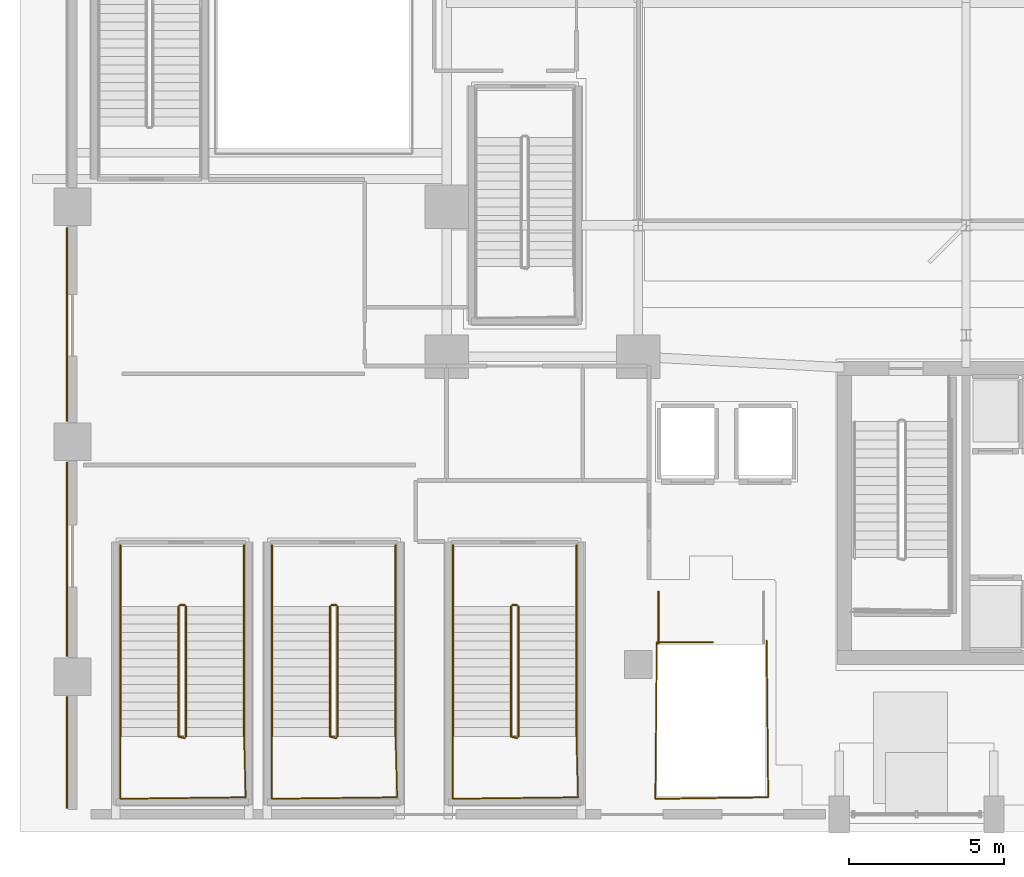
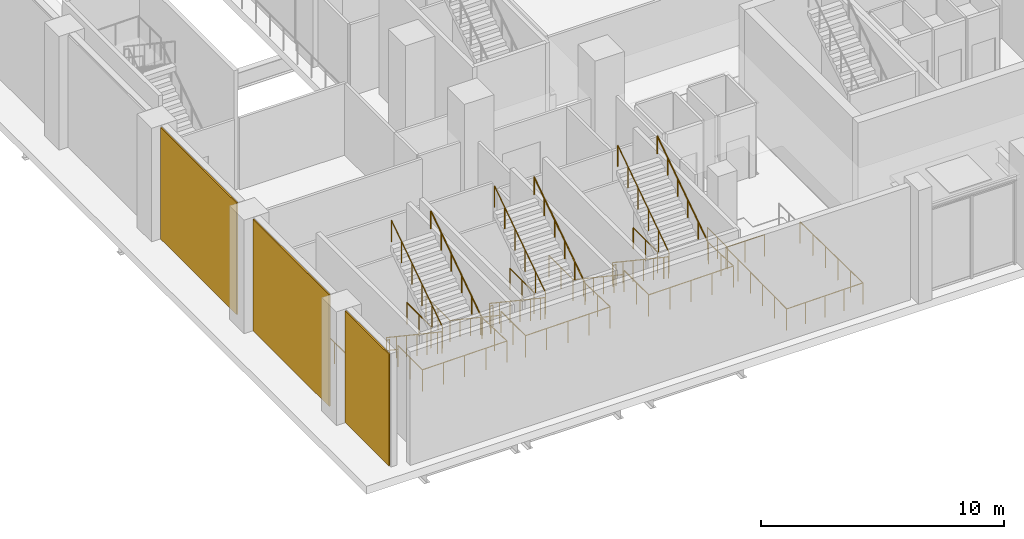
# One storey, part 26 of 36: 26 railings, 3 coverings.
"""IFC4 building model written with IfcOpenShell, lengths in metres."""

from ifc_helpers import new_model, si_unit, direction, frame, origin, origin_2d, place, context, subcontext, project, spatial, rectangle, circle, extrude, material, layer, layer_set, type_object, element, save


model = new_model("IFC4")

# Units and contexts
model_context = context("Model", 3, precision=1e-05, world=origin(), true_north=direction((0.0, 1.0)))
body_context = subcontext(model_context, "Body", "Model", "MODEL_VIEW")
ifc_project = project(units=[si_unit("LENGTHUNIT", "METRE"), si_unit("AREAUNIT", "SQUARE_METRE"), si_unit("VOLUMEUNIT", "CUBIC_METRE"), si_unit("PLANEANGLEUNIT", "RADIAN"), si_unit("MASSUNIT", "GRAM", prefix="KILO")], contexts=[model_context])

# Site, building, storey
site_placement = place(None, origin())
site = spatial("IfcSite", under=ifc_project, at=site_placement, CompositionType="ELEMENT")
building_placement = place(site_placement, origin())
building = spatial("IfcBuilding", under=site, at=building_placement, Name="Ndaravel Arena Tower", CompositionType="ELEMENT")
storey_placement = place(building_placement, origin())
storey = spatial("IfcBuildingStorey", under=building, at=storey_placement, Name="L00", CompositionType="ELEMENT", Elevation=0.0)

# Coverings
ifc_material_1 = material(Name="Masonry", Category="masonry")
ifc_layer_1 = layer(ifc_material_1, 0.06005859375)
ifc_layer_set_1 = layer_set([ifc_layer_1], Name="Masonry")
covering_type = type_object("IfcCoveringType", Name="COV-STONE-CLAD", PredefinedType="CLADDING", material=ifc_layer_set_1)
covering_placement = place(storey_placement, frame((1.52001953125, 2.550048828125, 0.050048828125), z_axis=(0.0, 0.0, 1.0), x_axis=(1.0, 0.0, 0.0)))
element("IfcCovering", 1, at=covering_placement, inside=storey, type_object=covering_type, Name="L00 Honed Mazeras Ashlar Panel W1", PredefinedType="CLADDING", context=body_context, shape_type="SweptSolid", body=[
    extrude(rectangle(XDim=0.06005859375, YDim=3.60009765625, at=origin_2d()), origin(), (0.0, 0.0, 1.0), 5.60009765625),
])
for number, where, z_axis, x_axis, name in (
    (2, (1.52001953125, 8.800048828125, 0.050048828125), (0.0, 0.0, 1.0), (1.0, 0.0, 0.0), "L00 Honed Mazeras Ashlar Panel W2"),
    (3, (1.52001953125, 16.39990234375, 0.050048828125), (0.0, 0.0, 1.0), (1.0, 0.0, 0.0), "L00 Honed Mazeras Ashlar Panel W3"),
):
    element("IfcCovering", number, at=place(storey_placement, frame(where, z_axis=z_axis, x_axis=x_axis)), inside=storey, type_object=covering_type, Name=name, PredefinedType="CLADDING", context=body_context, shape_type="SweptSolid", body=[
        extrude(rectangle(XDim=0.06005859375, YDim=6.260009765625, at=origin_2d()), origin(), (0.0, 0.0, 1.0), 5.60009765625),
    ])

# Railings
ifc_material_2 = material(Name="Steel S355", Category="steel")
ifc_layer_2 = layer(ifc_material_2, 0.06005859375)
ifc_layer_set_2 = layer_set([ifc_layer_2], Name="Steel S355")
railing_type_1 = type_object("IfcRailingType", Name="RAIL-STAIR-GD1100", PredefinedType="GUARDRAIL", material=ifc_layer_set_2)
railing_1_placement = place(storey_placement, frame((5.1298828125, 7.27001953125, 0.1875)))
element("IfcRailing", 4, at=railing_1_placement, inside=storey, type_object=railing_type_1, Name="L00 ST-A01 stair guard 1", PredefinedType="GUARDRAIL", context=body_context, shape_type="SweptSolid", body=[
    extrude(circle(Radius=0.02392578125, at=origin_2d()), frame((0.0, 0.0, 1.076171875), z_axis=(0.0, -0.830904186295, 0.556415522067), x_axis=(1.0, 0.0, 0.0)), (0.0, 0.0, 1.0), 5.0546875),
    extrude(circle(Radius=0.02392578125, at=origin_2d()), frame((0.0, -4.199951171875, 3.888671875), z_axis=(0.967074537263, -0.25449329928, 0.0), x_axis=(0.25449329928, 0.967074537263, 0.0)), (0.0, 0.0, 1.0), 0.19677734375),
    extrude(circle(Radius=0.02099609375, at=origin_2d()), origin(), (0.0, 0.0, 1.0), 1.052001953125),
    extrude(circle(Radius=0.02099609375, at=origin_2d()), frame((0.0, -0.840087890625, 0.5625)), (0.0, 0.0, 1.0), 1.052001953125),
    extrude(circle(Radius=0.02099609375, at=origin_2d()), frame((0.0, -1.679931640625, 1.125)), (0.0, 0.0, 1.0), 1.052001953125),
    extrude(circle(Radius=0.02099609375, at=origin_2d()), frame((0.0, -2.52001953125, 1.6875)), (0.0, 0.0, 1.0), 1.052001953125),
    extrude(circle(Radius=0.02099609375, at=origin_2d()), frame((0.0, -3.35986328125, 2.25)), (0.0, 0.0, 1.0), 1.052001953125),
    extrude(circle(Radius=0.02099609375, at=origin_2d()), frame((0.0, -4.199951171875, 2.8125)), (0.0, 0.0, 1.0), 1.052001953125),
    extrude(circle(Radius=0.02099609375, at=origin_2d()), frame((0.190185546875, -4.25, 2.8125)), (0.0, 0.0, 1.0), 1.052001953125),
])
railing_2_placement = place(storey_placement, frame((3.25, 3.070068359375, 3.0)))
element("IfcRailing", 5, at=railing_2_placement, inside=storey, type_object=railing_type_1, Name="L00 ST-A01 stair guard 2", PredefinedType="GUARDRAIL", context=body_context, shape_type="SweptSolid", body=[
    extrude(circle(Radius=0.02392578125, at=origin_2d()), frame((0.0, 0.0, 1.076171875), z_axis=(0.0, -1.0, 0.0), x_axis=(1.0, 0.0, 0.0)), (0.0, 0.0, 1.0), 2.02001953125),
    extrude(circle(Radius=0.02392578125, at=origin_2d()), frame((0.0, -2.02001953125, 1.076171875), z_axis=(0.999923653774, 0.012356642897, 0.0), x_axis=(-0.012356642897, 0.999923653774, 0.0)), (0.0, 0.0, 1.0), 4.05029296875),
    extrude(circle(Radius=0.02392578125, at=origin_2d()), frame((4.050048828125, -1.969970703125, 1.076171875), z_axis=(-0.025397679083, 0.999677426922, 0.0), x_axis=(-0.999677426922, -0.025397679083, 0.0)), (0.0, 0.0, 1.0), 1.970703125),
    extrude(circle(Radius=0.02099609375, at=origin_2d()), origin(), (0.0, 0.0, 1.0), 1.052001953125),
    extrude(circle(Radius=0.02099609375, at=origin_2d()), frame((0.0, -1.010009765625, 0.0)), (0.0, 0.0, 1.0), 1.052001953125),
    extrude(circle(Radius=0.02099609375, at=origin_2d()), frame((0.0, -2.02001953125, 0.0)), (0.0, 0.0, 1.0), 1.052001953125),
    extrude(circle(Radius=0.02099609375, at=origin_2d()), frame((1.012451171875, -2.007568359375, 0.0)), (0.0, 0.0, 1.0), 1.052001953125),
    extrude(circle(Radius=0.02099609375, at=origin_2d()), frame((2.02490234375, -1.9951171875, 0.0)), (0.0, 0.0, 1.0), 1.052001953125),
    extrude(circle(Radius=0.02099609375, at=origin_2d()), frame((3.03759765625, -1.982421875, 0.0)), (0.0, 0.0, 1.0), 1.052001953125),
    extrude(circle(Radius=0.02099609375, at=origin_2d()), frame((4.050048828125, -1.969970703125, 0.0)), (0.0, 0.0, 1.0), 1.052001953125),
    extrude(circle(Radius=0.02099609375, at=origin_2d()), frame((4.02490234375, -0.98486328125, 0.0)), (0.0, 0.0, 1.0), 1.052001953125),
    extrude(circle(Radius=0.02099609375, at=origin_2d()), frame((4.0, 0.0, 0.0)), (0.0, 0.0, 1.0), 1.052001953125),
])
railing_3_placement = place(storey_placement, frame((5.3701171875, 3.070068359375, 3.1875)))
element("IfcRailing", 6, at=railing_3_placement, inside=storey, type_object=railing_type_1, Name="L00 ST-A01 stair guard 3", PredefinedType="GUARDRAIL", context=body_context, shape_type="SweptSolid", body=[
    extrude(circle(Radius=0.02392578125, at=origin_2d()), frame((0.0, 0.0, 1.076171875), z_axis=(0.0, 0.830904186295, 0.556415522067), x_axis=(-1.0, 0.0, 0.0)), (0.0, 0.0, 1.0), 5.0546875),
    extrude(circle(Radius=0.02099609375, at=origin_2d()), origin(), (0.0, 0.0, 1.0), 1.052001953125),
    extrude(circle(Radius=0.02099609375, at=origin_2d()), frame((0.0, 0.840087890625, 0.5625)), (0.0, 0.0, 1.0), 1.052001953125),
    extrude(circle(Radius=0.02099609375, at=origin_2d()), frame((0.0, 1.679931640625, 1.125)), (0.0, 0.0, 1.0), 1.052001953125),
    extrude(circle(Radius=0.02099609375, at=origin_2d()), frame((0.0, 2.52001953125, 1.6875)), (0.0, 0.0, 1.0), 1.052001953125),
    extrude(circle(Radius=0.02099609375, at=origin_2d()), frame((0.0, 3.35986328125, 2.25)), (0.0, 0.0, 1.0), 1.052001953125),
    extrude(circle(Radius=0.02099609375, at=origin_2d()), frame((0.0, 4.199951171875, 2.8125)), (0.0, 0.0, 1.0), 1.052001953125),
])
railing_4_placement = place(storey_placement, frame((5.179931640625, 7.320068359375, 0.0)))
element("IfcRailing", 7, at=railing_4_placement, inside=storey, type_object=railing_type_1, Name="L00 ST-A01 stair guard 4", PredefinedType="GUARDRAIL", context=body_context, shape_type="SweptSolid", body=[
    extrude(circle(Radius=0.02392578125, at=origin_2d()), frame((0.0, 0.0, 1.076171875), z_axis=(1.0, 0.0, 0.0), x_axis=(0.0, 1.0, 0.0)), (0.0, 0.0, 1.0), 0.14013671875),
    extrude(circle(Radius=0.02099609375, at=origin_2d()), origin(), (0.0, 0.0, 1.0), 1.052001953125),
    extrude(circle(Radius=0.02099609375, at=origin_2d()), frame((0.14013671875, 0.0, 0.0)), (0.0, 0.0, 1.0), 1.052001953125),
])
for number, where, name in (
    (8, (3.25, 9.25, 0.0), "L00 ST-A01 stair guard 5"),
    (9, (7.25, 9.25, 0.0), "L00 ST-A01 stair guard 6"),
):
    element("IfcRailing", number, at=place(storey_placement, frame(where)), inside=storey, type_object=railing_type_1, Name=name, PredefinedType="GUARDRAIL", context=body_context, shape_type="SweptSolid", body=[
        extrude(circle(Radius=0.02392578125, at=origin_2d()), frame((0.0, 0.0, 1.076171875), z_axis=(0.0, -1.0, 0.0), x_axis=(1.0, 0.0, 0.0)), (0.0, 0.0, 1.0), 1.97998046875),
        extrude(circle(Radius=0.02099609375, at=origin_2d()), origin(), (0.0, 0.0, 1.0), 1.052001953125),
        extrude(circle(Radius=0.02099609375, at=origin_2d()), frame((0.0, -0.989990234375, 0.0)), (0.0, 0.0, 1.0), 1.052001953125),
        extrude(circle(Radius=0.02099609375, at=origin_2d()), frame((0.0, -1.97998046875, 0.0)), (0.0, 0.0, 1.0), 1.052001953125),
    ])
railing_5_placement = place(storey_placement, frame((10.030029296875, 7.27001953125, 0.1875)))
element("IfcRailing", 10, at=railing_5_placement, inside=storey, type_object=railing_type_1, Name="L00 ST-A02 stair guard 1", PredefinedType="GUARDRAIL", context=body_context, shape_type="SweptSolid", body=[
    extrude(circle(Radius=0.02392578125, at=origin_2d()), frame((0.0, 0.0, 1.076171875), z_axis=(0.0, -0.830904186295, 0.556415522067), x_axis=(1.0, 0.0, 0.0)), (0.0, 0.0, 1.0), 5.0546875),
    extrude(circle(Radius=0.02392578125, at=origin_2d()), frame((0.0, -4.199951171875, 3.888671875), z_axis=(0.966993988697, -0.254799187253, 0.0), x_axis=(0.254799187253, 0.966993988697, 0.0)), (0.0, 0.0, 1.0), 0.196533203125),
    extrude(circle(Radius=0.02099609375, at=origin_2d()), origin(), (0.0, 0.0, 1.0), 1.052001953125),
    extrude(circle(Radius=0.02099609375, at=origin_2d()), frame((0.0, -0.840087890625, 0.5625)), (0.0, 0.0, 1.0), 1.052001953125),
    extrude(circle(Radius=0.02099609375, at=origin_2d()), frame((0.0, -1.679931640625, 1.125)), (0.0, 0.0, 1.0), 1.052001953125),
    extrude(circle(Radius=0.02099609375, at=origin_2d()), frame((0.0, -2.52001953125, 1.6875)), (0.0, 0.0, 1.0), 1.052001953125),
    extrude(circle(Radius=0.02099609375, at=origin_2d()), frame((0.0, -3.35986328125, 2.25)), (0.0, 0.0, 1.0), 1.052001953125),
    extrude(circle(Radius=0.02099609375, at=origin_2d()), frame((0.0, -4.199951171875, 2.8125)), (0.0, 0.0, 1.0), 1.052001953125),
    extrude(circle(Radius=0.02099609375, at=origin_2d()), frame((0.18994140625, -4.25, 2.8125)), (0.0, 0.0, 1.0), 1.052001953125),
])
railing_6_placement = place(storey_placement, frame((8.14990234375, 3.070068359375, 3.0)))
element("IfcRailing", 11, at=railing_6_placement, inside=storey, type_object=railing_type_1, Name="L00 ST-A02 stair guard 2", PredefinedType="GUARDRAIL", context=body_context, shape_type="SweptSolid", body=[
    extrude(circle(Radius=0.02392578125, at=origin_2d()), frame((0.0, 0.0, 1.076171875), z_axis=(0.0, -1.0, 0.0), x_axis=(1.0, 0.0, 0.0)), (0.0, 0.0, 1.0), 2.02001953125),
    extrude(circle(Radius=0.02392578125, at=origin_2d()), frame((0.0, -2.02001953125, 1.076171875), z_axis=(0.999923653774, 0.012356642897, 0.0), x_axis=(-0.012356642897, 0.999923653774, 0.0)), (0.0, 0.0, 1.0), 4.05029296875),
    extrude(circle(Radius=0.02392578125, at=origin_2d()), frame((4.050048828125, -1.969970703125, 1.076171875), z_axis=(-0.025397679083, 0.999677426922, 0.0), x_axis=(-0.999677426922, -0.025397679083, 0.0)), (0.0, 0.0, 1.0), 1.970703125),
    extrude(circle(Radius=0.02099609375, at=origin_2d()), origin(), (0.0, 0.0, 1.0), 1.052001953125),
    extrude(circle(Radius=0.02099609375, at=origin_2d()), frame((0.0, -1.010009765625, 0.0)), (0.0, 0.0, 1.0), 1.052001953125),
    extrude(circle(Radius=0.02099609375, at=origin_2d()), frame((0.0, -2.02001953125, 0.0)), (0.0, 0.0, 1.0), 1.052001953125),
    extrude(circle(Radius=0.02099609375, at=origin_2d()), frame((1.012451171875, -2.007568359375, 0.0)), (0.0, 0.0, 1.0), 1.052001953125),
    extrude(circle(Radius=0.02099609375, at=origin_2d()), frame((2.02490234375, -1.9951171875, 0.0)), (0.0, 0.0, 1.0), 1.052001953125),
    extrude(circle(Radius=0.02099609375, at=origin_2d()), frame((3.03759765625, -1.982421875, 0.0)), (0.0, 0.0, 1.0), 1.052001953125),
    extrude(circle(Radius=0.02099609375, at=origin_2d()), frame((4.050048828125, -1.969970703125, 0.0)), (0.0, 0.0, 1.0), 1.052001953125),
    extrude(circle(Radius=0.02099609375, at=origin_2d()), frame((4.02490234375, -0.98486328125, 0.0)), (0.0, 0.0, 1.0), 1.052001953125),
    extrude(circle(Radius=0.02099609375, at=origin_2d()), frame((4.0, 0.0, 0.0)), (0.0, 0.0, 1.0), 1.052001953125),
])
railing_7_placement = place(storey_placement, frame((10.27001953125, 3.070068359375, 3.1875)))
element("IfcRailing", 12, at=railing_7_placement, inside=storey, type_object=railing_type_1, Name="L00 ST-A02 stair guard 3", PredefinedType="GUARDRAIL", context=body_context, shape_type="SweptSolid", body=[
    extrude(circle(Radius=0.02392578125, at=origin_2d()), frame((0.0, 0.0, 1.076171875), z_axis=(0.0, 0.830904186295, 0.556415522067), x_axis=(-1.0, 0.0, 0.0)), (0.0, 0.0, 1.0), 5.0546875),
    extrude(circle(Radius=0.02099609375, at=origin_2d()), origin(), (0.0, 0.0, 1.0), 1.052001953125),
    extrude(circle(Radius=0.02099609375, at=origin_2d()), frame((0.0, 0.840087890625, 0.5625)), (0.0, 0.0, 1.0), 1.052001953125),
    extrude(circle(Radius=0.02099609375, at=origin_2d()), frame((0.0, 1.679931640625, 1.125)), (0.0, 0.0, 1.0), 1.052001953125),
    extrude(circle(Radius=0.02099609375, at=origin_2d()), frame((0.0, 2.52001953125, 1.6875)), (0.0, 0.0, 1.0), 1.052001953125),
    extrude(circle(Radius=0.02099609375, at=origin_2d()), frame((0.0, 3.35986328125, 2.25)), (0.0, 0.0, 1.0), 1.052001953125),
    extrude(circle(Radius=0.02099609375, at=origin_2d()), frame((0.0, 4.199951171875, 2.8125)), (0.0, 0.0, 1.0), 1.052001953125),
])
railing_8_placement = place(storey_placement, frame((10.080078125, 7.320068359375, 0.0)))
element("IfcRailing", 13, at=railing_8_placement, inside=storey, type_object=railing_type_1, Name="L00 ST-A02 stair guard 4", PredefinedType="GUARDRAIL", context=body_context, shape_type="SweptSolid", body=[
    extrude(circle(Radius=0.02392578125, at=origin_2d()), frame((0.0, 0.0, 1.076171875), z_axis=(1.0, 0.0, 0.0), x_axis=(0.0, 1.0, 0.0)), (0.0, 0.0, 1.0), 0.139892578125),
    extrude(circle(Radius=0.02099609375, at=origin_2d()), origin(), (0.0, 0.0, 1.0), 1.052001953125),
    extrude(circle(Radius=0.02099609375, at=origin_2d()), frame((0.139892578125, 0.0, 0.0)), (0.0, 0.0, 1.0), 1.052001953125),
])
for number, where, name in (
    (14, (8.14990234375, 9.25, 0.0), "L00 ST-A02 stair guard 5"),
    (15, (12.14990234375, 9.25, 0.0), "L00 ST-A02 stair guard 6"),
):
    element("IfcRailing", number, at=place(storey_placement, frame(where)), inside=storey, type_object=railing_type_1, Name=name, PredefinedType="GUARDRAIL", context=body_context, shape_type="SweptSolid", body=[
        extrude(circle(Radius=0.02392578125, at=origin_2d()), frame((0.0, 0.0, 1.076171875), z_axis=(0.0, -1.0, 0.0), x_axis=(1.0, 0.0, 0.0)), (0.0, 0.0, 1.0), 1.97998046875),
        extrude(circle(Radius=0.02099609375, at=origin_2d()), origin(), (0.0, 0.0, 1.0), 1.052001953125),
        extrude(circle(Radius=0.02099609375, at=origin_2d()), frame((0.0, -0.989990234375, 0.0)), (0.0, 0.0, 1.0), 1.052001953125),
        extrude(circle(Radius=0.02099609375, at=origin_2d()), frame((0.0, -1.97998046875, 0.0)), (0.0, 0.0, 1.0), 1.052001953125),
    ])
railing_9_placement = place(storey_placement, frame((15.8798828125, 7.27001953125, 0.1875)))
element("IfcRailing", 16, at=railing_9_placement, inside=storey, type_object=railing_type_1, Name="L00 ST-A03 stair guard 1", PredefinedType="GUARDRAIL", context=body_context, shape_type="SweptSolid", body=[
    extrude(circle(Radius=0.02392578125, at=origin_2d()), frame((0.0, 0.0, 1.076171875), z_axis=(0.0, -0.830904186295, 0.556415522067), x_axis=(1.0, 0.0, 0.0)), (0.0, 0.0, 1.0), 5.0546875),
    extrude(circle(Radius=0.02392578125, at=origin_2d()), frame((0.0, -4.199951171875, 3.888671875), z_axis=(0.967074537263, -0.25449329928, 0.0), x_axis=(0.25449329928, 0.967074537263, 0.0)), (0.0, 0.0, 1.0), 0.19677734375),
    extrude(circle(Radius=0.02099609375, at=origin_2d()), origin(), (0.0, 0.0, 1.0), 1.052001953125),
    extrude(circle(Radius=0.02099609375, at=origin_2d()), frame((0.0, -0.840087890625, 0.5625)), (0.0, 0.0, 1.0), 1.052001953125),
    extrude(circle(Radius=0.02099609375, at=origin_2d()), frame((0.0, -1.679931640625, 1.125)), (0.0, 0.0, 1.0), 1.052001953125),
    extrude(circle(Radius=0.02099609375, at=origin_2d()), frame((0.0, -2.52001953125, 1.6875)), (0.0, 0.0, 1.0), 1.052001953125),
    extrude(circle(Radius=0.02099609375, at=origin_2d()), frame((0.0, -3.35986328125, 2.25)), (0.0, 0.0, 1.0), 1.052001953125),
    extrude(circle(Radius=0.02099609375, at=origin_2d()), frame((0.0, -4.199951171875, 2.8125)), (0.0, 0.0, 1.0), 1.052001953125),
    extrude(circle(Radius=0.02099609375, at=origin_2d()), frame((0.190185546875, -4.25, 2.8125)), (0.0, 0.0, 1.0), 1.052001953125),
])
railing_10_placement = place(storey_placement, frame((14.0, 3.070068359375, 3.0)))
element("IfcRailing", 17, at=railing_10_placement, inside=storey, type_object=railing_type_1, Name="L00 ST-A03 stair guard 2", PredefinedType="GUARDRAIL", context=body_context, shape_type="SweptSolid", body=[
    extrude(circle(Radius=0.02392578125, at=origin_2d()), frame((0.0, 0.0, 1.076171875), z_axis=(0.0, -1.0, 0.0), x_axis=(1.0, 0.0, 0.0)), (0.0, 0.0, 1.0), 2.02001953125),
    extrude(circle(Radius=0.02392578125, at=origin_2d()), frame((0.0, -2.02001953125, 1.076171875), z_axis=(0.999923653774, 0.012356642897, 0.0), x_axis=(-0.012356642897, 0.999923653774, 0.0)), (0.0, 0.0, 1.0), 4.05029296875),
    extrude(circle(Radius=0.02392578125, at=origin_2d()), frame((4.050048828125, -1.969970703125, 1.076171875), z_axis=(-0.025397679083, 0.999677426922, 0.0), x_axis=(-0.999677426922, -0.025397679083, 0.0)), (0.0, 0.0, 1.0), 1.970703125),
    extrude(circle(Radius=0.02099609375, at=origin_2d()), origin(), (0.0, 0.0, 1.0), 1.052001953125),
    extrude(circle(Radius=0.02099609375, at=origin_2d()), frame((0.0, -1.010009765625, 0.0)), (0.0, 0.0, 1.0), 1.052001953125),
    extrude(circle(Radius=0.02099609375, at=origin_2d()), frame((0.0, -2.02001953125, 0.0)), (0.0, 0.0, 1.0), 1.052001953125),
    extrude(circle(Radius=0.02099609375, at=origin_2d()), frame((1.012451171875, -2.007568359375, 0.0)), (0.0, 0.0, 1.0), 1.052001953125),
    extrude(circle(Radius=0.02099609375, at=origin_2d()), frame((2.02490234375, -1.9951171875, 0.0)), (0.0, 0.0, 1.0), 1.052001953125),
    extrude(circle(Radius=0.02099609375, at=origin_2d()), frame((3.03759765625, -1.982421875, 0.0)), (0.0, 0.0, 1.0), 1.052001953125),
    extrude(circle(Radius=0.02099609375, at=origin_2d()), frame((4.050048828125, -1.969970703125, 0.0)), (0.0, 0.0, 1.0), 1.052001953125),
    extrude(circle(Radius=0.02099609375, at=origin_2d()), frame((4.02490234375, -0.98486328125, 0.0)), (0.0, 0.0, 1.0), 1.052001953125),
    extrude(circle(Radius=0.02099609375, at=origin_2d()), frame((4.0, 0.0, 0.0)), (0.0, 0.0, 1.0), 1.052001953125),
])
railing_11_placement = place(storey_placement, frame((16.1201171875, 3.070068359375, 3.1875)))
element("IfcRailing", 18, at=railing_11_placement, inside=storey, type_object=railing_type_1, Name="L00 ST-A03 stair guard 3", PredefinedType="GUARDRAIL", context=body_context, shape_type="SweptSolid", body=[
    extrude(circle(Radius=0.02392578125, at=origin_2d()), frame((0.0, 0.0, 1.076171875), z_axis=(0.0, 0.830904186295, 0.556415522067), x_axis=(-1.0, 0.0, 0.0)), (0.0, 0.0, 1.0), 5.0546875),
    extrude(circle(Radius=0.02099609375, at=origin_2d()), origin(), (0.0, 0.0, 1.0), 1.052001953125),
    extrude(circle(Radius=0.02099609375, at=origin_2d()), frame((0.0, 0.840087890625, 0.5625)), (0.0, 0.0, 1.0), 1.052001953125),
    extrude(circle(Radius=0.02099609375, at=origin_2d()), frame((0.0, 1.679931640625, 1.125)), (0.0, 0.0, 1.0), 1.052001953125),
    extrude(circle(Radius=0.02099609375, at=origin_2d()), frame((0.0, 2.52001953125, 1.6875)), (0.0, 0.0, 1.0), 1.052001953125),
    extrude(circle(Radius=0.02099609375, at=origin_2d()), frame((0.0, 3.35986328125, 2.25)), (0.0, 0.0, 1.0), 1.052001953125),
    extrude(circle(Radius=0.02099609375, at=origin_2d()), frame((0.0, 4.199951171875, 2.8125)), (0.0, 0.0, 1.0), 1.052001953125),
])
railing_12_placement = place(storey_placement, frame((15.929931640625, 7.320068359375, 0.0)))
element("IfcRailing", 19, at=railing_12_placement, inside=storey, type_object=railing_type_1, Name="L00 ST-A03 stair guard 4", PredefinedType="GUARDRAIL", context=body_context, shape_type="SweptSolid", body=[
    extrude(circle(Radius=0.02392578125, at=origin_2d()), frame((0.0, 0.0, 1.076171875), z_axis=(1.0, 0.0, 0.0), x_axis=(0.0, 1.0, 0.0)), (0.0, 0.0, 1.0), 0.14013671875),
    extrude(circle(Radius=0.02099609375, at=origin_2d()), origin(), (0.0, 0.0, 1.0), 1.052001953125),
    extrude(circle(Radius=0.02099609375, at=origin_2d()), frame((0.14013671875, 0.0, 0.0)), (0.0, 0.0, 1.0), 1.052001953125),
])
for number, where, name in (
    (20, (14.0, 9.25, 0.0), "L00 ST-A03 stair guard 5"),
    (21, (18.0, 9.25, 0.0), "L00 ST-A03 stair guard 6"),
):
    element("IfcRailing", number, at=place(storey_placement, frame(where)), inside=storey, type_object=railing_type_1, Name=name, PredefinedType="GUARDRAIL", context=body_context, shape_type="SweptSolid", body=[
        extrude(circle(Radius=0.02392578125, at=origin_2d()), frame((0.0, 0.0, 1.076171875), z_axis=(0.0, -1.0, 0.0), x_axis=(1.0, 0.0, 0.0)), (0.0, 0.0, 1.0), 1.97998046875),
        extrude(circle(Radius=0.02099609375, at=origin_2d()), origin(), (0.0, 0.0, 1.0), 1.052001953125),
        extrude(circle(Radius=0.02099609375, at=origin_2d()), frame((0.0, -0.989990234375, 0.0)), (0.0, 0.0, 1.0), 1.052001953125),
        extrude(circle(Radius=0.02099609375, at=origin_2d()), frame((0.0, -1.97998046875, 0.0)), (0.0, 0.0, 1.0), 1.052001953125),
    ])
railing_13_placement = place(storey_placement, frame((24.14990234375, 6.169921875, 0.0)))
element("IfcRailing", 22, at=railing_13_placement, inside=storey, type_object=railing_type_1, Name="L00 ST-B1 top well guard 1", PredefinedType="GUARDRAIL", context=body_context, shape_type="SweptSolid", body=[
    extrude(circle(Radius=0.02392578125, at=origin_2d()), frame((0.0, 0.0, 1.076171875), z_axis=(0.009871425004, -0.999951276297, 0.0), x_axis=(0.999951276297, 0.009871425004, 0.0)), (0.0, 0.0, 1.0), 5.070068359375),
    extrude(circle(Radius=0.02392578125, at=origin_2d()), frame((0.050048828125, -5.06982421875, 1.076171875), z_axis=(-0.999905998648, -0.0137110856, 0.0), x_axis=(0.0137110856, -0.999905998648, 0.0)), (0.0, 0.0, 1.0), 3.650146484375),
    extrude(circle(Radius=0.02392578125, at=origin_2d()), frame((-3.599853515625, -5.119873046875, 1.076171875), z_axis=(0.009870949709, 0.999951280989, 0.0), x_axis=(-0.999951280989, 0.009870949709, 0.0)), (0.0, 0.0, 1.0), 5.0703125),
    extrude(circle(Radius=0.02392578125, at=origin_2d()), frame((-3.5498046875, -0.0498046875, 1.076171875), z_axis=(1.0, 0.0, 0.0), x_axis=(0.0, 1.0, 0.0)), (0.0, 0.0, 1.0), 1.81982421875),
    extrude(circle(Radius=0.02099609375, at=origin_2d()), origin(), (0.0, 0.0, 1.0), 1.052001953125),
    extrude(circle(Radius=0.02099609375, at=origin_2d()), frame((0.010009765625, -1.013916015625, 0.0)), (0.0, 0.0, 1.0), 1.052001953125),
    extrude(circle(Radius=0.02099609375, at=origin_2d()), frame((0.02001953125, -2.02783203125, 0.0)), (0.0, 0.0, 1.0), 1.052001953125),
    extrude(circle(Radius=0.02099609375, at=origin_2d()), frame((0.030029296875, -3.0419921875, 0.0)), (0.0, 0.0, 1.0), 1.052001953125),
    extrude(circle(Radius=0.02099609375, at=origin_2d()), frame((0.0400390625, -4.055908203125, 0.0)), (0.0, 0.0, 1.0), 1.052001953125),
    extrude(circle(Radius=0.02099609375, at=origin_2d()), frame((0.050048828125, -5.06982421875, 0.0)), (0.0, 0.0, 1.0), 1.052001953125),
    extrude(circle(Radius=0.02099609375, at=origin_2d()), frame((-0.8623046875, -5.082275390625, 0.0)), (0.0, 0.0, 1.0), 1.052001953125),
    extrude(circle(Radius=0.02099609375, at=origin_2d()), frame((-1.77490234375, -5.0947265625, 0.0)), (0.0, 0.0, 1.0), 1.052001953125),
    extrude(circle(Radius=0.02099609375, at=origin_2d()), frame((-2.6875, -5.107421875, 0.0)), (0.0, 0.0, 1.0), 1.052001953125),
    extrude(circle(Radius=0.02099609375, at=origin_2d()), frame((-3.599853515625, -5.119873046875, 0.0)), (0.0, 0.0, 1.0), 1.052001953125),
    extrude(circle(Radius=0.02099609375, at=origin_2d()), frame((-3.58984375, -4.10595703125, 0.0)), (0.0, 0.0, 1.0), 1.052001953125),
    extrude(circle(Radius=0.02099609375, at=origin_2d()), frame((-3.579833984375, -3.091796875, 0.0)), (0.0, 0.0, 1.0), 1.052001953125),
    extrude(circle(Radius=0.02099609375, at=origin_2d()), frame((-3.56982421875, -2.077880859375, 0.0)), (0.0, 0.0, 1.0), 1.052001953125),
    extrude(circle(Radius=0.02099609375, at=origin_2d()), frame((-3.559814453125, -1.063720703125, 0.0)), (0.0, 0.0, 1.0), 1.052001953125),
    extrude(circle(Radius=0.02099609375, at=origin_2d()), frame((-3.5498046875, -0.0498046875, 0.0)), (0.0, 0.0, 1.0), 1.052001953125),
    extrude(circle(Radius=0.02099609375, at=origin_2d()), frame((-2.639892578125, -0.0498046875, 0.0)), (0.0, 0.0, 1.0), 1.052001953125),
    extrude(circle(Radius=0.02099609375, at=origin_2d()), frame((-1.72998046875, -0.0498046875, 0.0)), (0.0, 0.0, 1.0), 1.052001953125),
])
railing_14_placement = place(storey_placement, frame((20.64990234375, 7.75, 0.0)))
element("IfcRailing", 23, at=railing_14_placement, inside=storey, type_object=railing_type_1, Name="L00 ST-B1 top well guard 2", PredefinedType="GUARDRAIL", context=body_context, shape_type="SweptSolid", body=[
    extrude(circle(Radius=0.02392578125, at=origin_2d()), frame((0.0, 0.0, 1.076171875), z_axis=(0.0, -1.0, 0.0), x_axis=(1.0, 0.0, 0.0)), (0.0, 0.0, 1.0), 1.679931640625),
    extrude(circle(Radius=0.02099609375, at=origin_2d()), origin(), (0.0, 0.0, 1.0), 1.052001953125),
    extrude(circle(Radius=0.02099609375, at=origin_2d()), frame((0.0, -0.83984375, 0.0)), (0.0, 0.0, 1.0), 1.052001953125),
    extrude(circle(Radius=0.02099609375, at=origin_2d()), frame((0.0, -1.679931640625, 0.0)), (0.0, 0.0, 1.0), 1.052001953125),
])
ifc_material_3 = material(Name="Steel S355", Category="steel")
ifc_layer_3 = layer(ifc_material_3, 0.050048828125)
ifc_layer_set_3 = layer_set([ifc_layer_3], Name="Steel S355")
railing_type_2 = type_object("IfcRailingType", Name="RAIL-STAIR-HR920", PredefinedType="HANDRAIL", material=ifc_layer_set_3)
railing_15_placement = place(storey_placement, frame((3.25, 7.27001953125, 0.1875)))
element("IfcRailing", 24, at=railing_15_placement, inside=storey, type_object=railing_type_2, Name="L00 ST-A01 stair handrail 1", PredefinedType="HANDRAIL", context=body_context, shape_type="SweptSolid", body=[
    extrude(circle(Radius=0.02392578125, at=origin_2d()), frame((0.0, 0.0, 0.8759765625), z_axis=(0.0, -0.830904186295, 0.556415522067), x_axis=(1.0, 0.0, 0.0)), (0.0, 0.0, 1.0), 5.0546875),
    extrude(circle(Radius=0.02099609375, at=origin_2d()), origin(), (0.0, 0.0, 1.0), 0.851806640625),
    extrude(circle(Radius=0.02099609375, at=origin_2d()), frame((0.0, -0.840087890625, 0.5625)), (0.0, 0.0, 1.0), 0.851806640625),
    extrude(circle(Radius=0.02099609375, at=origin_2d()), frame((0.0, -1.679931640625, 1.125)), (0.0, 0.0, 1.0), 0.851806640625),
    extrude(circle(Radius=0.02099609375, at=origin_2d()), frame((0.0, -2.52001953125, 1.6875)), (0.0, 0.0, 1.0), 0.851806640625),
    extrude(circle(Radius=0.02099609375, at=origin_2d()), frame((0.0, -3.35986328125, 2.25)), (0.0, 0.0, 1.0), 0.851806640625),
    extrude(circle(Radius=0.02099609375, at=origin_2d()), frame((0.0, -4.199951171875, 2.8125)), (0.0, 0.0, 1.0), 0.851806640625),
])
railing_16_placement = place(storey_placement, frame((7.25, 3.070068359375, 3.1875)))
element("IfcRailing", 25, at=railing_16_placement, inside=storey, type_object=railing_type_2, Name="L00 ST-A01 stair handrail 2", PredefinedType="HANDRAIL", context=body_context, shape_type="SweptSolid", body=[
    extrude(circle(Radius=0.02392578125, at=origin_2d()), frame((0.0, 0.0, 0.8759765625), z_axis=(0.0, 0.830904186295, 0.556415522067), x_axis=(-1.0, 0.0, 0.0)), (0.0, 0.0, 1.0), 5.0546875),
    extrude(circle(Radius=0.02099609375, at=origin_2d()), origin(), (0.0, 0.0, 1.0), 0.851806640625),
    extrude(circle(Radius=0.02099609375, at=origin_2d()), frame((0.0, 0.840087890625, 0.5625)), (0.0, 0.0, 1.0), 0.851806640625),
    extrude(circle(Radius=0.02099609375, at=origin_2d()), frame((0.0, 1.679931640625, 1.125)), (0.0, 0.0, 1.0), 0.851806640625),
    extrude(circle(Radius=0.02099609375, at=origin_2d()), frame((0.0, 2.52001953125, 1.6875)), (0.0, 0.0, 1.0), 0.851806640625),
    extrude(circle(Radius=0.02099609375, at=origin_2d()), frame((0.0, 3.35986328125, 2.25)), (0.0, 0.0, 1.0), 0.851806640625),
    extrude(circle(Radius=0.02099609375, at=origin_2d()), frame((0.0, 4.199951171875, 2.8125)), (0.0, 0.0, 1.0), 0.851806640625),
])
railing_17_placement = place(storey_placement, frame((8.14990234375, 7.27001953125, 0.1875)))
element("IfcRailing", 26, at=railing_17_placement, inside=storey, type_object=railing_type_2, Name="L00 ST-A02 stair handrail 1", PredefinedType="HANDRAIL", context=body_context, shape_type="SweptSolid", body=[
    extrude(circle(Radius=0.02392578125, at=origin_2d()), frame((0.0, 0.0, 0.8759765625), z_axis=(0.0, -0.830904186295, 0.556415522067), x_axis=(1.0, 0.0, 0.0)), (0.0, 0.0, 1.0), 5.0546875),
    extrude(circle(Radius=0.02099609375, at=origin_2d()), origin(), (0.0, 0.0, 1.0), 0.851806640625),
    extrude(circle(Radius=0.02099609375, at=origin_2d()), frame((0.0, -0.840087890625, 0.5625)), (0.0, 0.0, 1.0), 0.851806640625),
    extrude(circle(Radius=0.02099609375, at=origin_2d()), frame((0.0, -1.679931640625, 1.125)), (0.0, 0.0, 1.0), 0.851806640625),
    extrude(circle(Radius=0.02099609375, at=origin_2d()), frame((0.0, -2.52001953125, 1.6875)), (0.0, 0.0, 1.0), 0.851806640625),
    extrude(circle(Radius=0.02099609375, at=origin_2d()), frame((0.0, -3.35986328125, 2.25)), (0.0, 0.0, 1.0), 0.851806640625),
    extrude(circle(Radius=0.02099609375, at=origin_2d()), frame((0.0, -4.199951171875, 2.8125)), (0.0, 0.0, 1.0), 0.851806640625),
])
railing_18_placement = place(storey_placement, frame((12.14990234375, 3.070068359375, 3.1875)))
element("IfcRailing", 27, at=railing_18_placement, inside=storey, type_object=railing_type_2, Name="L00 ST-A02 stair handrail 2", PredefinedType="HANDRAIL", context=body_context, shape_type="SweptSolid", body=[
    extrude(circle(Radius=0.02392578125, at=origin_2d()), frame((0.0, 0.0, 0.8759765625), z_axis=(0.0, 0.830904186295, 0.556415522067), x_axis=(-1.0, 0.0, 0.0)), (0.0, 0.0, 1.0), 5.0546875),
    extrude(circle(Radius=0.02099609375, at=origin_2d()), origin(), (0.0, 0.0, 1.0), 0.851806640625),
    extrude(circle(Radius=0.02099609375, at=origin_2d()), frame((0.0, 0.840087890625, 0.5625)), (0.0, 0.0, 1.0), 0.851806640625),
    extrude(circle(Radius=0.02099609375, at=origin_2d()), frame((0.0, 1.679931640625, 1.125)), (0.0, 0.0, 1.0), 0.851806640625),
    extrude(circle(Radius=0.02099609375, at=origin_2d()), frame((0.0, 2.52001953125, 1.6875)), (0.0, 0.0, 1.0), 0.851806640625),
    extrude(circle(Radius=0.02099609375, at=origin_2d()), frame((0.0, 3.35986328125, 2.25)), (0.0, 0.0, 1.0), 0.851806640625),
    extrude(circle(Radius=0.02099609375, at=origin_2d()), frame((0.0, 4.199951171875, 2.8125)), (0.0, 0.0, 1.0), 0.851806640625),
])
railing_19_placement = place(storey_placement, frame((14.0, 7.27001953125, 0.1875)))
element("IfcRailing", 28, at=railing_19_placement, inside=storey, type_object=railing_type_2, Name="L00 ST-A03 stair handrail 1", PredefinedType="HANDRAIL", context=body_context, shape_type="SweptSolid", body=[
    extrude(circle(Radius=0.02392578125, at=origin_2d()), frame((0.0, 0.0, 0.8759765625), z_axis=(0.0, -0.830904186295, 0.556415522067), x_axis=(1.0, 0.0, 0.0)), (0.0, 0.0, 1.0), 5.0546875),
    extrude(circle(Radius=0.02099609375, at=origin_2d()), origin(), (0.0, 0.0, 1.0), 0.851806640625),
    extrude(circle(Radius=0.02099609375, at=origin_2d()), frame((0.0, -0.840087890625, 0.5625)), (0.0, 0.0, 1.0), 0.851806640625),
    extrude(circle(Radius=0.02099609375, at=origin_2d()), frame((0.0, -1.679931640625, 1.125)), (0.0, 0.0, 1.0), 0.851806640625),
    extrude(circle(Radius=0.02099609375, at=origin_2d()), frame((0.0, -2.52001953125, 1.6875)), (0.0, 0.0, 1.0), 0.851806640625),
    extrude(circle(Radius=0.02099609375, at=origin_2d()), frame((0.0, -3.35986328125, 2.25)), (0.0, 0.0, 1.0), 0.851806640625),
    extrude(circle(Radius=0.02099609375, at=origin_2d()), frame((0.0, -4.199951171875, 2.8125)), (0.0, 0.0, 1.0), 0.851806640625),
])
railing_20_placement = place(storey_placement, frame((18.0, 3.070068359375, 3.1875)))
element("IfcRailing", 29, at=railing_20_placement, inside=storey, type_object=railing_type_2, Name="L00 ST-A03 stair handrail 2", PredefinedType="HANDRAIL", context=body_context, shape_type="SweptSolid", body=[
    extrude(circle(Radius=0.02392578125, at=origin_2d()), frame((0.0, 0.0, 0.8759765625), z_axis=(0.0, 0.830904186295, 0.556415522067), x_axis=(-1.0, 0.0, 0.0)), (0.0, 0.0, 1.0), 5.0546875),
    extrude(circle(Radius=0.02099609375, at=origin_2d()), origin(), (0.0, 0.0, 1.0), 0.851806640625),
    extrude(circle(Radius=0.02099609375, at=origin_2d()), frame((0.0, 0.840087890625, 0.5625)), (0.0, 0.0, 1.0), 0.851806640625),
    extrude(circle(Radius=0.02099609375, at=origin_2d()), frame((0.0, 1.679931640625, 1.125)), (0.0, 0.0, 1.0), 0.851806640625),
    extrude(circle(Radius=0.02099609375, at=origin_2d()), frame((0.0, 2.52001953125, 1.6875)), (0.0, 0.0, 1.0), 0.851806640625),
    extrude(circle(Radius=0.02099609375, at=origin_2d()), frame((0.0, 3.35986328125, 2.25)), (0.0, 0.0, 1.0), 0.851806640625),
    extrude(circle(Radius=0.02099609375, at=origin_2d()), frame((0.0, 4.199951171875, 2.8125)), (0.0, 0.0, 1.0), 0.851806640625),
])

save(model, "model.ifc")
